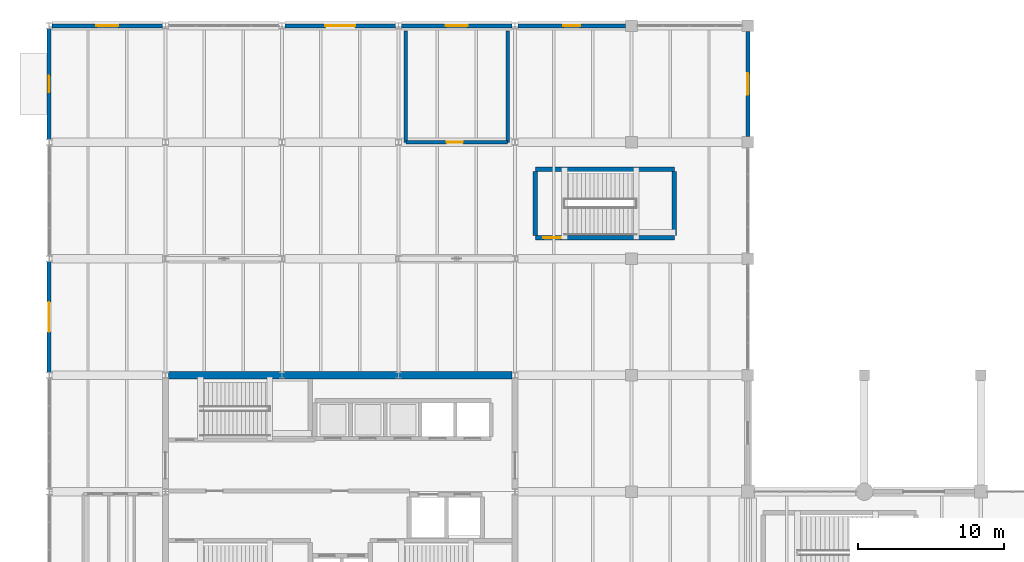
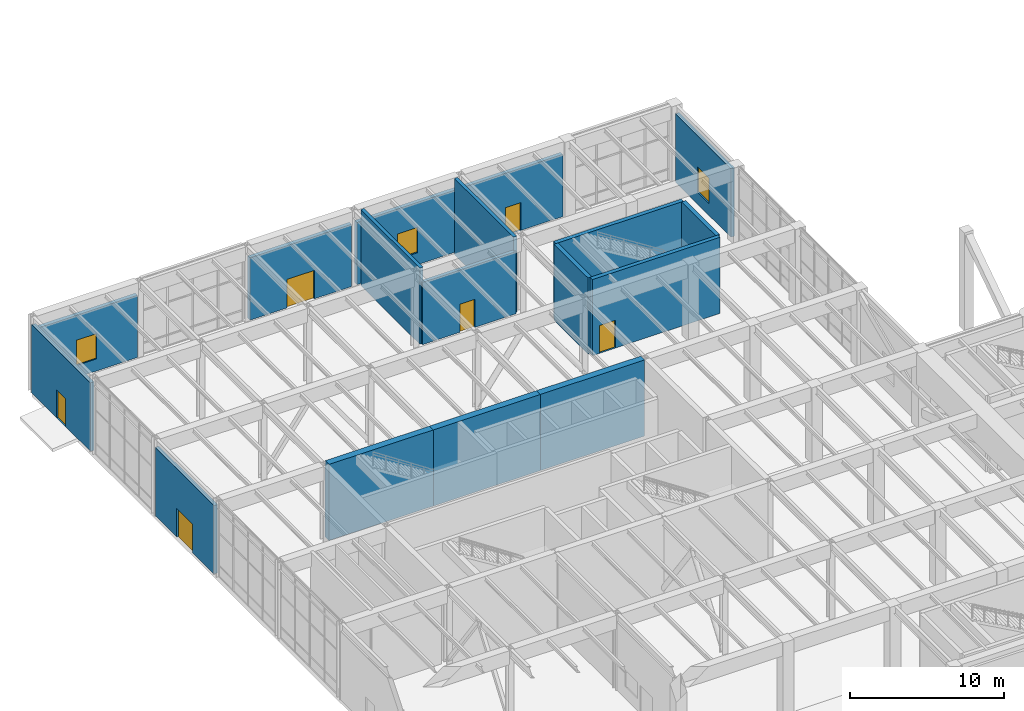
# One storey, part 38 of 51: 17 walls, 6 doors, 3 windows, 9 openings.
"""IFC4 building model written with IfcOpenShell, lengths in metres."""

import ifcopenshell
import ifcopenshell.guid

model = None  # the IFC model being written
_history = None  # IfcOwnerHistory: only IFC2X3 demands one
_inside = {}  # id of a spatial element -> (the spatial element, [elements in it])
_under = {}  # id of a project, library or spatial element -> (it, [spatial elements below it])
_declared = {}  # id of a project -> (the project, [libraries it declares])
_typed = {}  # id of a type object -> (the type object, [elements of that type])
_made_of = {}  # id of a material, layer set ... -> (it, [elements and type objects made of it])


def new_model(schema):
    """Start an empty IFC model of exactly this schema.

    Asked for "IFC4X3", IfcOpenShell would pick the latest addendum, in which some entities
    have other attributes; the version numbers below select the first issue.
    IFC2X3 requires an IfcOwnerHistory on every rooted entity: one is made here for all.
    """
    global model, _history
    if schema == "IFC4X3":
        model = ifcopenshell.file(schema_version=(4, 3, 0, 0))
    else:
        model = ifcopenshell.file(schema=schema)
    _inside.clear()
    _under.clear()
    _declared.clear()
    _typed.clear()
    _made_of.clear()
    _history = None
    if model.schema == "IFC2X3":
        org = make("IfcOrganization", Name="unknown")
        user = make(
            "IfcPersonAndOrganization",
            ThePerson=make("IfcPerson", FamilyName="unknown"),
            TheOrganization=org,
        )
        app = make(
            "IfcApplication",
            ApplicationDeveloper=org,
            Version="unknown",
            ApplicationFullName="unknown",
            ApplicationIdentifier="unknown",
        )
        _history = make(
            "IfcOwnerHistory",
            OwningUser=user,
            OwningApplication=app,
            ChangeAction="ADDED",
            CreationDate=0,
        )
    return model


def make(cls, **values):
    """One entity of the class cls with the attributes given. An attribute that is None is left unset."""
    return model.create_entity(
        cls, **{name: value for name, value in values.items() if value is not None}
    )


def rooted(cls, **values):
    """An entity with a GlobalId (a new one), such as an element, a storey or a relation."""
    return make(cls, GlobalId=ifcopenshell.guid.new(), OwnerHistory=_history, **values)


def si_unit(unit_type, name, prefix=None):
    """IfcSIUnit, for example si_unit("LENGTHUNIT", "METRE", prefix="MILLI")."""
    return make("IfcSIUnit", UnitType=unit_type, Prefix=prefix, Name=name)


def assignment(units):
    """IfcUnitAssignment: the units of a project."""
    return None if units is None else make("IfcUnitAssignment", Units=units)


def point(xyz):
    """IfcCartesianPoint."""
    return None if xyz is None else make("IfcCartesianPoint", Coordinates=xyz)


def direction(xyz):
    """IfcDirection."""
    return None if xyz is None else make("IfcDirection", DirectionRatios=xyz)


def frame(location, z_axis=None, x_axis=None):
    """IfcAxis2Placement3D, a coordinate frame: its origin and axes. An axis left out is left unset."""
    return make(
        "IfcAxis2Placement3D",
        Location=point(location),
        Axis=direction(z_axis),
        RefDirection=direction(x_axis),
    )


def frame_2d(location, x_axis=None):
    """IfcAxis2Placement2D, a coordinate frame in the plane: its origin and x axis."""
    return make(
        "IfcAxis2Placement2D", Location=point(location), RefDirection=direction(x_axis)
    )


def origin():
    """The frame at (0, 0, 0) with its axes left unset."""
    return frame((0.0, 0.0, 0.0))


def place(relative_to, where):
    """IfcLocalPlacement: puts the frame where relative to a parent placement (None: the world)."""
    return make(
        "IfcLocalPlacement", PlacementRelTo=relative_to, RelativePlacement=where
    )


def context(
    kind, dimensions, precision=None, world=None, true_north=None, identifier=None
):
    """IfcGeometricRepresentationContext, for example the 3D "Model" context."""
    return make(
        "IfcGeometricRepresentationContext",
        ContextIdentifier=identifier,
        ContextType=kind,
        CoordinateSpaceDimension=dimensions,
        Precision=precision,
        WorldCoordinateSystem=world,
        TrueNorth=true_north,
    )


def subcontext(parent, identifier, kind, view, scale=None):
    """IfcGeometricRepresentationSubContext, for example "Body" below "Model"."""
    return make(
        "IfcGeometricRepresentationSubContext",
        ContextIdentifier=identifier,
        ContextType=kind,
        ParentContext=parent,
        TargetScale=scale,
        TargetView=view,
    )


def project(units=None, contexts=None):
    """IfcProject with its units and contexts."""
    return rooted(
        "IfcProject",
        Name="project",
        RepresentationContexts=contexts,
        UnitsInContext=assignment(units),
    )


def spatial(cls, under=None, at=None, **own):
    """A site, building, storey or space (cls), placed at a placement, below another one or the project."""
    s = rooted(cls, ObjectPlacement=at, **own)
    if under is not None:
        _under.setdefault(under.id(), (under, []))[1].append(s)
    return s


def profile(cls, at=None, kind="AREA", **sizes):
    """A parametric profile (cls). Its sizes go by their IFC names, for example OverallWidth=200.0."""
    return make(cls, ProfileType=kind, Position=at, **sizes)


def rectangle(**sizes):
    """IfcRectangleProfileDef."""
    return profile("IfcRectangleProfileDef", **sizes)


def extrude(swept, where, along, depth):
    """IfcExtrudedAreaSolid: the profile swept, set in the frame where, extruded along a direction by depth."""
    return make(
        "IfcExtrudedAreaSolid",
        SweptArea=swept,
        Position=where,
        ExtrudedDirection=direction(along),
        Depth=depth,
    )


def shape(context_of_items, identifier, shape_type, items):
    """IfcShapeRepresentation: the items that make up one representation, for example the "Body"."""
    return make(
        "IfcShapeRepresentation",
        ContextOfItems=context_of_items,
        RepresentationIdentifier=identifier,
        RepresentationType=shape_type,
        Items=items,
    )


def material(Name=None, Category=None):
    """IfcMaterial."""
    return make("IfcMaterial", Name=Name, Category=Category)


def layer(
    of_material, thickness, ventilated=None, Name=None, Category=None, Priority=None
):
    """IfcMaterialLayer: one layer of a wall or slab, of a material (None: an air gap)."""
    return make(
        "IfcMaterialLayer",
        Material=of_material,
        LayerThickness=thickness,
        IsVentilated=ventilated,
        Name=Name,
        Category=Category,
        Priority=Priority,
    )


def layer_set(layers, Name=None):
    """IfcMaterialLayerSet."""
    return make("IfcMaterialLayerSet", MaterialLayers=layers, LayerSetName=Name)


def made_of(thing, what):
    """Note that an element or type object is made of a material, layer set ...; save() writes the relation."""
    if what is not None:
        _made_of.setdefault(what.id(), (what, []))[1].append(thing)
    return thing


def type_object(cls, material=None, **own):
    """A type object (cls), such as IfcWallType, which elements share."""
    return made_of(rooted(cls, **own), material)


def element(
    cls,
    number,
    at=None,
    inside=None,
    cuts=None,
    type_object=None,
    material=None,
    context=None,
    identifier="Body",
    shape_type=None,
    held_by="IfcProductDefinitionShape",
    body=None,
    shapes=None,
    **own,
):
    """One element of the class cls, such as IfcWall. Its Tag is "e" and its number.

    at: its placement. inside: the storey or other place that contains it. cuts: it is an
    opening in that element (IfcRelVoidsElement). A single representation is given by context,
    identifier, shape_type and body (its items); several are given by shapes. held_by: the class
    of the entity that holds the representations. save() writes the other relations.
    """
    e = rooted(cls, Tag="e%d" % number, ObjectPlacement=at, **own)
    if body is not None:
        shapes = [shape(context, identifier, shape_type, body)]
    if shapes is not None:
        e.Representation = make(held_by, Representations=shapes)
    if inside is not None:
        _inside.setdefault(inside.id(), (inside, []))[1].append(e)
    if cuts is not None:
        rooted(
            "IfcRelVoidsElement", RelatingBuildingElement=cuts, RelatedOpeningElement=e
        )
    if type_object is not None:
        _typed.setdefault(type_object.id(), (type_object, []))[1].append(e)
    return made_of(e, material)


def fill(opening, filler):
    """IfcRelFillsElement: the door or window that sits in an opening."""
    return rooted(
        "IfcRelFillsElement",
        RelatingOpeningElement=opening,
        RelatedBuildingElement=filler,
    )


def aggregate(whole, parts):
    """IfcRelAggregates: a whole, such as a stair, and the parts it consists of."""
    return rooted("IfcRelAggregates", RelatingObject=whole, RelatedObjects=parts)


def save(model, path):
    """Write the relations noted so far, then the file.

    IfcRelAggregates (storeys below a building ...), IfcRelContainedInSpatialStructure (elements
    in a storey), IfcRelDefinesByType, IfcRelAssociatesMaterial and IfcRelDeclares: one each for
    every whole, place, type object, material and project.
    """
    for whole, parts in _under.values():
        aggregate(whole, parts)
    for where, things in _inside.values():
        rooted(
            "IfcRelContainedInSpatialStructure",
            RelatedElements=things,
            RelatingStructure=where,
        )
    for kind, things in _typed.values():
        rooted("IfcRelDefinesByType", RelatedObjects=things, RelatingType=kind)
    for what, things in _made_of.values():
        rooted("IfcRelAssociatesMaterial", RelatedObjects=things, RelatingMaterial=what)
    for by, libraries in _declared.values():
        rooted("IfcRelDeclares", RelatingContext=by, RelatedDefinitions=libraries)
    model.write(path)


model = new_model("IFC4")

# Units and contexts
model_context = context("Model", 3, precision=1e-05, world=origin(), true_north=direction((0.0, 1.0)))
body_context = subcontext(model_context, "Body", "Model", "MODEL_VIEW")
ifc_project = project(units=[si_unit("LENGTHUNIT", "METRE"), si_unit("AREAUNIT", "SQUARE_METRE"), si_unit("VOLUMEUNIT", "CUBIC_METRE"), si_unit("PLANEANGLEUNIT", "RADIAN"), si_unit("MASSUNIT", "GRAM", prefix="KILO")], contexts=[model_context])

# Site, building, storey
site_placement = place(None, origin())
site = spatial("IfcSite", under=ifc_project, at=site_placement, CompositionType="ELEMENT")
building_placement = place(site_placement, origin())
building = spatial("IfcBuilding", under=site, at=building_placement, Name="Varnela Railside Interchange", CompositionType="ELEMENT")
storey_placement = place(building_placement, origin())
storey = spatial("IfcBuildingStorey", under=building, at=storey_placement, Name="L00", CompositionType="ELEMENT", Elevation=0.0)

# Walls
ifc_material_1 = material(Name="Concrete C50", Category="concrete")
ifc_layer_1 = layer(ifc_material_1, 0.5)
ifc_layer_set_1 = layer_set([ifc_layer_1], Name="Concrete C50")
wall_type_1 = type_object("IfcWallType", Name="Core Primary Shear Wall SW-01", PredefinedType="SHEAR", material=ifc_layer_set_1)
wall_1_placement = place(storey_placement, frame((12.202880859375, 70.0, 0.0), z_axis=(0.0, 0.0, 1.0), x_axis=(1.0, 0.0, 0.0)))
element("IfcWall", 1, at=wall_1_placement, inside=storey, type_object=wall_type_1, Name="Core Primary Shear Wall SW-01 (L00) (WL-0327)", PredefinedType="SHEAR", context=body_context, shape_type="SweptSolid", body=[
    extrude(rectangle(XDim=7.797119140625, YDim=0.5, at=frame_2d((3.8984375, 0.0))), origin(), (0.0, 0.0, 1.0), 6.02001953125),
])
wall_2_placement = place(storey_placement, frame((20.0, 70.0, 0.0), z_axis=(0.0, 0.0, 1.0), x_axis=(1.0, 0.0, 0.0)))
element("IfcWall", 2, at=wall_2_placement, inside=storey, type_object=wall_type_1, Name="Core Primary Shear Wall SW-01 (L00) (WL-0328)", PredefinedType="SHEAR", context=body_context, shape_type="SweptSolid", body=[
    extrude(rectangle(XDim=8.0, YDim=0.5, at=frame_2d((4.0, 0.0))), origin(), (0.0, 0.0, 1.0), 6.02001953125),
])
wall_3_placement = place(storey_placement, frame((28.0, 70.0, 0.0), z_axis=(0.0, 0.0, 1.0), x_axis=(1.0, 0.0, 0.0)))
element("IfcWall", 3, at=wall_3_placement, inside=storey, type_object=wall_type_1, Name="Core Primary Shear Wall SW-01 (L00) (WL-0329)", PredefinedType="SHEAR", context=body_context, shape_type="SweptSolid", body=[
    extrude(rectangle(XDim=7.797119140625, YDim=0.5, at=frame_2d((3.8984375, 0.0))), origin(), (0.0, 0.0, 1.0), 6.02001953125),
])

# Wall, opening, door
ifc_material_2 = material(Name="Concrete C40 precast", Category="concrete")
ifc_layer_2 = layer(ifc_material_2, 0.280029296875)
ifc_layer_set_2 = layer_set([ifc_layer_2], Name="Concrete C40 precast")
wall_type_2 = type_object("IfcWallType", Name="Ribbed Precast Concrete Facade Wall EW-02", PredefinedType="STANDARD", material=ifc_layer_set_2)
wall_4_placement = place(storey_placement, frame((4.0, 70.199462890625, 0.0), z_axis=(0.0, 0.0, 1.0), x_axis=(0.0, 1.0, 0.0)))
wall_4 = element("IfcWall", 4, at=wall_4_placement, inside=storey, type_object=wall_type_2, Name="Ribbed Precast Concrete Facade Wall EW-02 (L00) (WL-0384)", PredefinedType="STANDARD", context=body_context, shape_type="SweptSolid", body=[
    extrude(rectangle(XDim=7.60107421875, YDim=0.280029296875, at=frame_2d((3.800537109375, 0.0))), origin(), (0.0, 0.0, 1.0), 5.407958984375),
])
opening_1_placement = place(wall_4_placement, frame((2.775390625, 0.0, 0.0)))
opening_1 = element("IfcOpeningElement", 5, at=opening_1_placement, cuts=wall_4, Name="Opening D-004", PredefinedType="OPENING", context=body_context, shape_type="SweptSolid", body=[
    extrude(rectangle(XDim=2.050048828125, YDim=2.25, at=frame_2d((1.02490234375, 1.125))), frame((0.0, 0.14990234375, 0.0), z_axis=(0.0, -1.0, 0.0), x_axis=(1.0, 0.0, 0.0)), (0.0, 0.0, 1.0), 0.300048828125),
])
ifc_material_3 = material(Name="Steel AR 350 (350 MPa)", Category="steel")
door_type_1 = type_object("IfcDoorType", Name="Perimeter Fire Exit Double Door ED-06", OperationType="DOUBLE_DOOR_SINGLE_SWING", PredefinedType="DOOR", material=ifc_material_3)
door_1_placement = place(opening_1_placement, origin())
door_1 = element("IfcDoor", 6, at=door_1_placement, inside=storey, type_object=door_type_1, Name="Door D-004", OperationType="DOUBLE_DOOR_SINGLE_SWING", OverallHeight=2.25, OverallWidth=2.050048828125, PredefinedType="DOOR", context=body_context, shape_type="SweptSolid", body=[
    extrude(rectangle(XDim=2.050048828125, YDim=2.25, at=frame_2d((1.02490234375, 1.125))), frame((0.0, 0.02490234375, 0.0), z_axis=(0.0, -1.0, 0.0), x_axis=(1.0, 0.0, 0.0)), (0.0, 0.0, 1.0), 0.050048828125),
])
fill(opening_1, door_1)

wall_5_placement = place(storey_placement, frame((4.0, 86.199462890625, 0.0), z_axis=(0.0, 0.0, 1.0), x_axis=(0.0, 1.0, 0.0)))
wall_5 = element("IfcWall", 7, at=wall_5_placement, inside=storey, type_object=wall_type_2, Name="Ribbed Precast Concrete Facade Wall EW-02 (L00) (WL-0342)", PredefinedType="STANDARD", context=body_context, shape_type="SweptSolid", body=[
    extrude(rectangle(XDim=7.60107421875, YDim=0.280029296875, at=frame_2d((3.800537109375, 0.0))), origin(), (0.0, 0.0, 1.0), 5.407958984375),
])
opening_2_placement = place(wall_5_placement, frame((3.2255859375, 0.0, 0.0)))
opening_2 = element("IfcOpeningElement", 8, at=opening_2_placement, cuts=wall_5, Name="Opening D-005", PredefinedType="OPENING", context=body_context, shape_type="SweptSolid", body=[
    extrude(rectangle(XDim=1.14990234375, YDim=2.199951171875, at=frame_2d((0.574951171875, 1.10009765625))), frame((0.0, 0.14990234375, 0.0), z_axis=(0.0, -1.0, 0.0), x_axis=(1.0, 0.0, 0.0)), (0.0, 0.0, 1.0), 0.300048828125),
])
door_type_2 = type_object("IfcDoorType", Name="Perimeter Fire Exit Single Door ED-07", OperationType="SINGLE_SWING_LEFT", PredefinedType="DOOR", material=ifc_material_3)
door_2_placement = place(opening_2_placement, origin())
door_2 = element("IfcDoor", 9, at=door_2_placement, inside=storey, type_object=door_type_2, Name="Door D-005", OperationType="SINGLE_SWING_LEFT", OverallHeight=2.199951171875, OverallWidth=1.14990234375, PredefinedType="DOOR", context=body_context, shape_type="SweptSolid", body=[
    extrude(rectangle(XDim=1.14990234375, YDim=2.199951171875, at=frame_2d((0.574951171875, 1.10009765625))), frame((0.0, 0.02490234375, 0.0), z_axis=(0.0, -1.0, 0.0), x_axis=(1.0, 0.0, 0.0)), (0.0, 0.0, 1.0), 0.050048828125),
])
fill(opening_2, door_2)

# Wall, opening, window
wall_6_placement = place(storey_placement, frame((4.200439453125, 94.0, 0.0), z_axis=(0.0, 0.0, 1.0), x_axis=(1.0, 0.0, 0.0)))
wall_6 = element("IfcWall", 10, at=wall_6_placement, inside=storey, type_object=wall_type_2, Name="Ribbed Precast Concrete Facade Wall EW-02 (L00) (WL-0343)", PredefinedType="STANDARD", context=body_context, shape_type="SweptSolid", body=[
    extrude(rectangle(XDim=7.59912109375, YDim=0.280029296875, at=frame_2d((3.799560546875, 0.0))), origin(), (0.0, 0.0, 1.0), 4.919921875),
])
opening_3_placement = place(wall_6_placement, frame((3.049560546875, 0.0, 0.949951171875)))
opening_3 = element("IfcOpeningElement", 11, at=opening_3_placement, cuts=wall_6, Name="Opening W-003", PredefinedType="OPENING", context=body_context, shape_type="SweptSolid", body=[
    extrude(rectangle(XDim=1.5, YDim=2.0, at=frame_2d((0.75, 1.0))), frame((0.0, 0.14990234375, 0.0), z_axis=(0.0, -1.0, 0.0), x_axis=(1.0, 0.0, 0.0)), (0.0, 0.0, 1.0), 0.300048828125),
])
ifc_material_4 = material(Name="Glass laminated double", Category="glass")
window_type = type_object("IfcWindowType", Name="Operations Modular Window WN-04", PartitioningType="SINGLE_PANEL", PredefinedType="WINDOW", material=ifc_material_4)
window_1_placement = place(opening_3_placement, origin())
window_1 = element("IfcWindow", 12, at=window_1_placement, inside=storey, type_object=window_type, Name="Window W-003", OverallHeight=2.0, OverallWidth=1.5, PartitioningType="SINGLE_PANEL", PredefinedType="WINDOW", context=body_context, shape_type="SweptSolid", body=[
    extrude(rectangle(XDim=1.5, YDim=2.0, at=frame_2d((0.75, 1.0))), frame((0.0, 0.030029296875, 0.0), z_axis=(0.0, -1.0, 0.0), x_axis=(1.0, 0.0, 0.0)), (0.0, 0.0, 1.0), 0.06005859375),
])
fill(opening_3, window_1)

# Wall, opening, door
wall_7_placement = place(storey_placement, frame((20.200439453125, 94.0, 0.0), z_axis=(0.0, 0.0, 1.0), x_axis=(1.0, 0.0, 0.0)))
wall_7 = element("IfcWall", 13, at=wall_7_placement, inside=storey, type_object=wall_type_2, Name="Ribbed Precast Concrete Facade Wall EW-02 (L00) (WL-0344)", PredefinedType="STANDARD", context=body_context, shape_type="SweptSolid", body=[
    extrude(rectangle(XDim=7.59912109375, YDim=0.280029296875, at=frame_2d((3.799560546875, 0.0))), origin(), (0.0, 0.0, 1.0), 4.919921875),
])
opening_4_placement = place(wall_7_placement, frame((2.7744140625, 0.0, 0.0)))
opening_4 = element("IfcOpeningElement", 14, at=opening_4_placement, cuts=wall_7, Name="Opening D-006", PredefinedType="OPENING", context=body_context, shape_type="SweptSolid", body=[
    extrude(rectangle(XDim=2.050048828125, YDim=2.25, at=frame_2d((1.02490234375, 1.125))), frame((0.0, 0.14990234375, 0.0), z_axis=(0.0, -1.0, 0.0), x_axis=(1.0, 0.0, 0.0)), (0.0, 0.0, 1.0), 0.300048828125),
])
door_3_placement = place(opening_4_placement, origin())
door_3 = element("IfcDoor", 15, at=door_3_placement, inside=storey, type_object=door_type_1, Name="Door D-006", OperationType="DOUBLE_DOOR_SINGLE_SWING", OverallHeight=2.25, OverallWidth=2.050048828125, PredefinedType="DOOR", context=body_context, shape_type="SweptSolid", body=[
    extrude(rectangle(XDim=2.050048828125, YDim=2.25, at=frame_2d((1.02490234375, 1.125))), frame((0.0, 0.02490234375, 0.0), z_axis=(0.0, -1.0, 0.0), x_axis=(1.0, 0.0, 0.0)), (0.0, 0.0, 1.0), 0.050048828125),
])
fill(opening_4, door_3)

# Wall, opening, window
wall_8_placement = place(storey_placement, frame((28.200439453125, 94.0, 0.0), z_axis=(0.0, 0.0, 1.0), x_axis=(1.0, 0.0, 0.0)))
wall_8 = element("IfcWall", 16, at=wall_8_placement, inside=storey, type_object=wall_type_2, Name="Ribbed Precast Concrete Facade Wall EW-02 (L00) (WL-0345)", PredefinedType="STANDARD", context=body_context, shape_type="SweptSolid", body=[
    extrude(rectangle(XDim=7.59912109375, YDim=0.280029296875, at=frame_2d((3.799560546875, 0.0))), origin(), (0.0, 0.0, 1.0), 4.919921875),
])
opening_5_placement = place(wall_8_placement, frame((3.049560546875, 0.0, 0.949951171875)))
opening_5 = element("IfcOpeningElement", 17, at=opening_5_placement, cuts=wall_8, Name="Opening W-004", PredefinedType="OPENING", context=body_context, shape_type="SweptSolid", body=[
    extrude(rectangle(XDim=1.5, YDim=2.0, at=frame_2d((0.75, 1.0))), frame((0.0, 0.14990234375, 0.0), z_axis=(0.0, -1.0, 0.0), x_axis=(1.0, 0.0, 0.0)), (0.0, 0.0, 1.0), 0.300048828125),
])
window_2_placement = place(opening_5_placement, origin())
window_2 = element("IfcWindow", 18, at=window_2_placement, inside=storey, type_object=window_type, Name="Window W-004", OverallHeight=2.0, OverallWidth=1.5, PartitioningType="SINGLE_PANEL", PredefinedType="WINDOW", context=body_context, shape_type="SweptSolid", body=[
    extrude(rectangle(XDim=1.5, YDim=2.0, at=frame_2d((0.75, 1.0))), frame((0.0, 0.030029296875, 0.0), z_axis=(0.0, -1.0, 0.0), x_axis=(1.0, 0.0, 0.0)), (0.0, 0.0, 1.0), 0.06005859375),
])
fill(opening_5, window_2)

# Wall, opening, door
wall_9_placement = place(storey_placement, frame((36.200439453125, 94.0, 0.0), z_axis=(0.0, 0.0, 1.0), x_axis=(1.0, 0.0, 0.0)))
wall_9 = element("IfcWall", 19, at=wall_9_placement, inside=storey, type_object=wall_type_2, Name="Ribbed Precast Concrete Facade Wall EW-02 (L00) (WL-0346)", PredefinedType="STANDARD", context=body_context, shape_type="SweptSolid", body=[
    extrude(rectangle(XDim=7.399658203125, YDim=0.280029296875, at=frame_2d((3.69970703125, 0.0))), origin(), (0.0, 0.0, 1.0), 4.919921875),
])
opening_6_placement = place(wall_9_placement, frame((3.124755859375, 0.0, 0.0)))
opening_6 = element("IfcOpeningElement", 20, at=opening_6_placement, cuts=wall_9, Name="Opening D-007", PredefinedType="OPENING", context=body_context, shape_type="SweptSolid", body=[
    extrude(rectangle(XDim=1.14990234375, YDim=2.199951171875, at=frame_2d((0.574951171875, 1.10009765625))), frame((0.0, 0.14990234375, 0.0), z_axis=(0.0, -1.0, 0.0), x_axis=(1.0, 0.0, 0.0)), (0.0, 0.0, 1.0), 0.300048828125),
])
door_4_placement = place(opening_6_placement, origin())
door_4 = element("IfcDoor", 21, at=door_4_placement, inside=storey, type_object=door_type_2, Name="Door D-007", OperationType="SINGLE_SWING_LEFT", OverallHeight=2.199951171875, OverallWidth=1.14990234375, PredefinedType="DOOR", context=body_context, shape_type="SweptSolid", body=[
    extrude(rectangle(XDim=1.14990234375, YDim=2.199951171875, at=frame_2d((0.574951171875, 1.10009765625))), frame((0.0, 0.02490234375, 0.0), z_axis=(0.0, -1.0, 0.0), x_axis=(1.0, 0.0, 0.0)), (0.0, 0.0, 1.0), 0.050048828125),
])
fill(opening_6, door_4)

# Wall, opening, window
wall_10_placement = place(storey_placement, frame((52.0, 93.60009765625, 0.0), z_axis=(0.0, 0.0, 1.0), x_axis=(0.0, -1.0, 0.0)))
wall_10 = element("IfcWall", 22, at=wall_10_placement, inside=storey, type_object=wall_type_2, Name="Ribbed Precast Concrete Facade Wall EW-02 (L00) (WL-0347)", PredefinedType="STANDARD", context=body_context, shape_type="SweptSolid", body=[
    extrude(rectangle(XDim=7.2001953125, YDim=0.280029296875, at=frame_2d((3.60009765625, 0.0))), origin(), (0.0, 0.0, 1.0), 5.407958984375),
])
opening_7_placement = place(wall_10_placement, frame((2.85009765625, 0.0, 0.949951171875)))
opening_7 = element("IfcOpeningElement", 23, at=opening_7_placement, cuts=wall_10, Name="Opening W-005", PredefinedType="OPENING", context=body_context, shape_type="SweptSolid", body=[
    extrude(rectangle(XDim=1.5, YDim=2.0, at=frame_2d((0.75, 1.0))), frame((0.0, 0.14990234375, 0.0), z_axis=(0.0, -1.0, 0.0), x_axis=(1.0, 0.0, 0.0)), (0.0, 0.0, 1.0), 0.300048828125),
])
window_3_placement = place(opening_7_placement, origin())
window_3 = element("IfcWindow", 24, at=window_3_placement, inside=storey, type_object=window_type, Name="Window W-005", OverallHeight=2.0, OverallWidth=1.5, PartitioningType="SINGLE_PANEL", PredefinedType="WINDOW", context=body_context, shape_type="SweptSolid", body=[
    extrude(rectangle(XDim=1.5, YDim=2.0, at=frame_2d((0.75, 1.0))), frame((0.0, 0.030029296875, 0.0), z_axis=(0.0, -1.0, 0.0), x_axis=(1.0, 0.0, 0.0)), (0.0, 0.0, 1.0), 0.06005859375),
])
fill(opening_7, window_3)

# Wall
ifc_layer_3 = layer(ifc_material_1, 0.300048828125)
ifc_layer_set_3 = layer_set([ifc_layer_3], Name="Concrete C50")
wall_type_3 = type_object("IfcWallType", Name="Stair & Lift Shaft Wall SW-03", PredefinedType="SHEAR", material=ifc_layer_set_3)
wall_11_placement = place(storey_placement, frame((37.39990234375, 84.14990234375, 0.0), z_axis=(0.0, 0.0, 1.0), x_axis=(1.0, 0.0, 0.0)))
element("IfcWall", 25, at=wall_11_placement, inside=storey, type_object=wall_type_3, Name="Stair & Lift Shaft Wall SW-03 (L00) (WL-0471)", PredefinedType="SHEAR", context=body_context, shape_type="SweptSolid", body=[
    extrude(rectangle(XDim=9.550048828125, YDim=0.300048828125, at=frame_2d((4.77490234375, 0.0))), origin(), (0.0, 0.0, 1.0), 6.02001953125),
])

# Wall, opening, door
wall_12_placement = place(storey_placement, frame((37.39990234375, 79.449951171875, 0.0), z_axis=(0.0, 0.0, 1.0), x_axis=(1.0, 0.0, 0.0)))
wall_12 = element("IfcWall", 26, at=wall_12_placement, inside=storey, type_object=wall_type_3, Name="Stair & Lift Shaft Wall SW-03 (L00) (WL-0472)", PredefinedType="SHEAR", context=body_context, shape_type="SweptSolid", body=[
    extrude(rectangle(XDim=9.550048828125, YDim=0.300048828125, at=frame_2d((4.77490234375, 0.0))), origin(), (0.0, 0.0, 1.0), 6.02001953125),
])
opening_8_placement = place(wall_12_placement, frame((0.550048828125, 0.0, 0.0)))
opening_8 = element("IfcOpeningElement", 27, at=opening_8_placement, cuts=wall_12, Name="Opening D-166", PredefinedType="OPENING", context=body_context, shape_type="SweptSolid", body=[
    extrude(rectangle(XDim=1.199951171875, YDim=2.199951171875, at=frame_2d((0.60009765625, 1.10009765625))), frame((0.0, 0.159912109375, 0.0), z_axis=(0.0, -1.0, 0.0), x_axis=(1.0, 0.0, 0.0)), (0.0, 0.0, 1.0), 0.320068359375),
])
door_type_3 = type_object("IfcDoorType", Name="DR-SGL-1200-FD90", OperationType="NOTDEFINED", PredefinedType="DOOR", material=ifc_material_3)
door_5_placement = place(opening_8_placement, frame((1.199951171875, 0.0, 0.0), z_axis=(0.0, 0.0, 1.0), x_axis=(-1.0, 0.0, 0.0)))
door_5 = element("IfcDoor", 28, at=door_5_placement, inside=storey, type_object=door_type_3, Name="Door D-166", OperationType="SINGLE_SWING_LEFT", OverallHeight=2.199951171875, OverallWidth=1.199951171875, PredefinedType="DOOR", context=body_context, shape_type="SweptSolid", body=[
    extrude(rectangle(XDim=1.199951171875, YDim=2.199951171875, at=frame_2d((0.60009765625, 1.10009765625))), frame((0.0, 0.02490234375, 0.0), z_axis=(0.0, -1.0, 0.0), x_axis=(1.0, 0.0, 0.0)), (0.0, 0.0, 1.0), 0.050048828125),
])
fill(opening_8, door_5)

# Walls
for number, where, z_axis, x_axis, name in (
    (29, (37.39990234375, 79.60009765625, 0.0), (0.0, 0.0, 1.0), (0.0, 1.0, 0.0), "Stair & Lift Shaft Wall SW-03 (L00) (WL-0473)"),
    (30, (46.949951171875, 79.60009765625, 0.0), (0.0, 0.0, 1.0), (0.0, 1.0, 0.0), "Stair & Lift Shaft Wall SW-03 (L00) (WL-0470)"),
):
    element("IfcWall", number, at=place(storey_placement, frame(where, z_axis=z_axis, x_axis=x_axis)), inside=storey, type_object=wall_type_3, Name=name, PredefinedType="SHEAR", context=body_context, shape_type="SweptSolid", body=[
        extrude(rectangle(XDim=4.39990234375, YDim=0.300048828125, at=frame_2d((2.199951171875, 0.0))), origin(), (0.0, 0.0, 1.0), 6.02001953125),
    ])

# Wall, opening, door
ifc_material_5 = material(Name="Concrete C40", Category="concrete")
ifc_layer_4 = layer(ifc_material_5, 0.25)
ifc_layer_set_4 = layer_set([ifc_layer_4], Name="Concrete C40")
wall_type_4 = type_object("IfcWallType", Name="Substation Fire Wall EI120 FW-03", PredefinedType="SOLIDWALL", material=ifc_layer_set_4)
wall_13_placement = place(storey_placement, frame((28.5, 86.0, 0.0), z_axis=(0.0, 0.0, 1.0), x_axis=(1.0, 0.0, 0.0)))
wall_13 = element("IfcWall", 31, at=wall_13_placement, inside=storey, type_object=wall_type_4, Name="Substation Fire Wall EI120 FW-03 (L00) (WL-0400)", PredefinedType="SOLIDWALL", context=body_context, shape_type="SweptSolid", body=[
    extrude(rectangle(XDim=7.0, YDim=0.25, at=frame_2d((3.5, 0.0))), origin(), (0.0, 0.0, 1.0), 4.919921875),
])
opening_9_placement = place(wall_13_placement, frame((2.800048828125, 0.0, 0.0)))
opening_9 = element("IfcOpeningElement", 32, at=opening_9_placement, cuts=wall_13, Name="Opening D-178", PredefinedType="OPENING", context=body_context, shape_type="SweptSolid", body=[
    extrude(rectangle(XDim=1.1201171875, YDim=2.219970703125, at=frame_2d((0.56005859375, 1.10986328125))), frame((0.0, 0.135009765625, 0.0), z_axis=(0.0, -1.0, 0.0), x_axis=(1.0, 0.0, 0.0)), (0.0, 0.0, 1.0), 0.27001953125),
])
door_type_4 = type_object("IfcDoorType", Name="DR-SGL-1120-FD90", OperationType="NOTDEFINED", PredefinedType="DOOR", material=ifc_material_3)
door_6_placement = place(opening_9_placement, origin())
door_6 = element("IfcDoor", 33, at=door_6_placement, inside=storey, type_object=door_type_4, Name="Door D-178", OperationType="SINGLE_SWING_LEFT", OverallHeight=2.219970703125, OverallWidth=1.1201171875, PredefinedType="DOOR", context=body_context, shape_type="SweptSolid", body=[
    extrude(rectangle(XDim=1.1201171875, YDim=2.219970703125, at=frame_2d((0.56005859375, 1.10986328125))), frame((0.0, 0.02490234375, 0.0), z_axis=(0.0, -1.0, 0.0), x_axis=(1.0, 0.0, 0.0)), (0.0, 0.0, 1.0), 0.050048828125),
])
fill(opening_9, door_6)

# Walls
for number, where, z_axis, x_axis, name in (
    (34, (28.5, 86.0, 0.0), (0.0, 0.0, 1.0), (0.0, 1.0, 0.0), "Substation Fire Wall EI120 FW-03 (L00) (WL-0401)"),
    (35, (35.5, 86.0, 0.0), (0.0, 0.0, 1.0), (0.0, 1.0, 0.0), "Substation Fire Wall EI120 FW-03 (L00) (WL-0399)"),
):
    element("IfcWall", number, at=place(storey_placement, frame(where, z_axis=z_axis, x_axis=x_axis)), inside=storey, type_object=wall_type_4, Name=name, PredefinedType="SOLIDWALL", context=body_context, shape_type="SweptSolid", body=[
        extrude(rectangle(XDim=7.64990234375, YDim=0.25, at=frame_2d((3.824951171875, 0.0))), origin(), (0.0, 0.0, 1.0), 6.02001953125),
    ])

save(model, "model.ifc")
